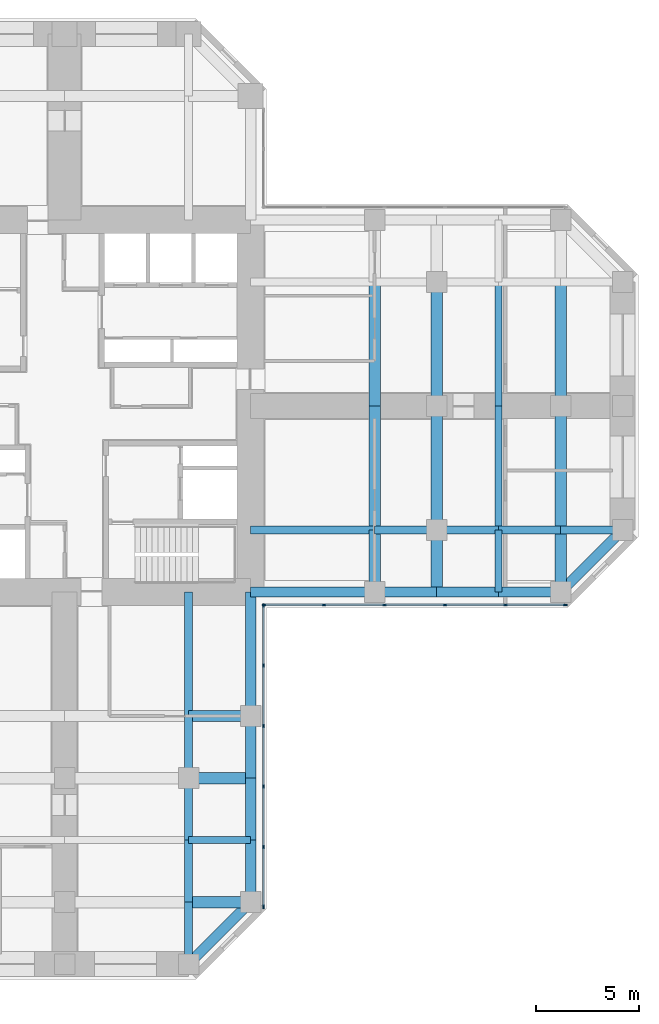
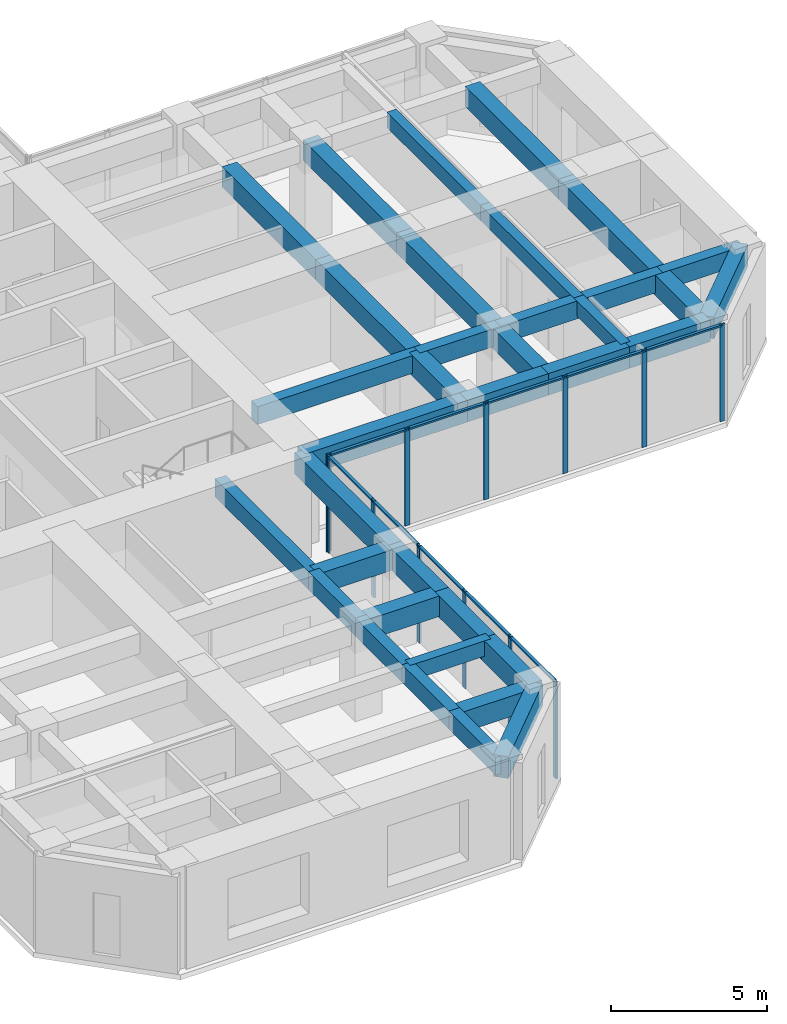
# One storey, part 4 of 12: 36 beams, 22 members, 2 elements without a shape of their own.
"""IFC4 building model written with IfcOpenShell, lengths in metres."""

from ifc_helpers import new_model, si_unit, direction, frame, origin, origin_2d, place, context, subcontext, project, spatial, rectangle, extrude, material, material_profile, profile_set, type_object, element, aggregate, save


model = new_model("IFC4")

# Units and contexts
model_context = context("Model", 3, precision=1e-05, world=origin(), true_north=direction((0.0, 1.0)))
body_context = subcontext(model_context, "Body", "Model", "MODEL_VIEW")
ifc_project = project(units=[si_unit("LENGTHUNIT", "METRE"), si_unit("AREAUNIT", "SQUARE_METRE"), si_unit("VOLUMEUNIT", "CUBIC_METRE"), si_unit("PLANEANGLEUNIT", "RADIAN"), si_unit("MASSUNIT", "GRAM", prefix="KILO")], contexts=[model_context])

# Site, building, storey
site_placement = place(None, origin())
site = spatial("IfcSite", under=ifc_project, at=site_placement, CompositionType="ELEMENT")
building_placement = place(site_placement, origin())
building = spatial("IfcBuilding", under=site, at=building_placement, Name="Torre Cruceta", CompositionType="ELEMENT")
storey_placement = place(building_placement, frame((0.0, 0.0, 112.5)))
storey = spatial("IfcBuildingStorey", under=building, at=storey_placement, Name="L27", CompositionType="ELEMENT", Elevation=112.5)

# Beams
ifc_material_1 = material(Name="Concrete G60 (fck 60 MPa)", Category="concrete")
ifc_material_profile_1 = material_profile(ifc_material_1, rectangle(XDim=0.39990234375, YDim=0.699951171875, at=origin_2d()), Name="RC 400X700")
ifc_profile_set_1 = profile_set([ifc_material_profile_1], Name="Concrete G60 (fck 60 MPa)")
beam_type_1 = type_object("IfcBeamType", Name="COLUMN LINE BEAM RC 400X700", PredefinedType="BEAM", material=ifc_profile_set_1)
beam_1_placement = place(storey_placement, frame((9.0, -6.0, 3.449951171875), z_axis=(1.0, 0.0, 0.0), x_axis=(0.0, 1.0, 0.0)))
element("IfcBeam", 1, at=beam_1_placement, inside=storey, type_object=beam_type_1, Name="LB5 L27 E col- 1", PredefinedType="BEAM", context=body_context, shape_type="SweptSolid", body=[
    extrude(rectangle(XDim=0.39990234375, YDim=0.699951171875, at=origin_2d()), origin(), (0.0, 0.0, 1.0), 6.0),
])
for number, where, z_axis, x_axis, name in (
    (2, (15.0, -6.0, 3.449951171875), (1.0, 0.0, 0.0), (0.0, 1.0, 0.0), "LB5 L27 E col- 2"),
    (3, (18.0, -6.0, 3.449951171875), (1.0, 0.0, 0.0), (0.0, 1.0, 0.0), "LB5 L27 E col- 3"),
    (4, (21.0, -6.0, 3.449951171875), (1.0, 0.0, 0.0), (0.0, 1.0, 0.0), "LB5 L27 E col- 4"),
    (5, (24.0, -6.0, 3.449951171875), (1.0, 0.0, 0.0), (0.0, 1.0, 0.0), "LB5 L27 E col- 5"),
):
    element("IfcBeam", number, at=place(storey_placement, frame(where, z_axis=z_axis, x_axis=x_axis)), inside=storey, type_object=beam_type_1, Name=name, PredefinedType="BEAM", context=body_context, shape_type="SweptSolid", body=[
        extrude(rectangle(XDim=0.39990234375, YDim=0.699951171875, at=origin_2d()), origin(), (0.0, 0.0, 1.0), 3.0),
    ])
beam_2_placement = place(storey_placement, frame((6.0, -9.0, 3.449951171875), z_axis=(0.0, -1.0, 0.0), x_axis=(1.0, 0.0, 0.0)))
element("IfcBeam", 6, at=beam_2_placement, inside=storey, type_object=beam_type_1, Name="LB5 L27 S col+ 1", PredefinedType="BEAM", context=body_context, shape_type="SweptSolid", body=[
    extrude(rectangle(XDim=0.39990234375, YDim=0.699951171875, at=origin_2d()), origin(), (0.0, 0.0, 1.0), 6.0),
])
for number, where, z_axis, x_axis, name in (
    (7, (6.0, -15.0, 3.449951171875), (0.0, -1.0, 0.0), (1.0, 0.0, 0.0), "LB5 L27 S col+ 2"),
    (8, (6.0, -18.0, 3.449951171875), (0.0, -1.0, 0.0), (1.0, 0.0, 0.0), "LB5 L27 S col+ 3"),
    (9, (6.0, -21.0, 3.449951171875), (0.0, -1.0, 0.0), (1.0, 0.0, 0.0), "LB5 L27 S col+ 4"),
    (10, (6.0, -24.0, 3.449951171875), (0.0, -1.0, 0.0), (1.0, 0.0, 0.0), "LB5 L27 S col+ 5"),
):
    element("IfcBeam", number, at=place(storey_placement, frame(where, z_axis=z_axis, x_axis=x_axis)), inside=storey, type_object=beam_type_1, Name=name, PredefinedType="BEAM", context=body_context, shape_type="SweptSolid", body=[
        extrude(rectangle(XDim=0.39990234375, YDim=0.699951171875, at=origin_2d()), origin(), (0.0, 0.0, 1.0), 3.0),
    ])
ifc_material_2 = material(Name="Concrete G60 (fck 60 MPa)", Category="concrete")
ifc_material_profile_2 = material_profile(ifc_material_2, rectangle(XDim=0.550048828125, YDim=0.800048828125, at=origin_2d()), Name="RC 550X800")
ifc_profile_set_2 = profile_set([ifc_material_profile_2], Name="Concrete G60 (fck 60 MPa)")
beam_type_2 = type_object("IfcBeamType", Name="CROSS BEAM RC 550X800", PredefinedType="BEAM", material=ifc_profile_set_2)
beam_3_placement = place(storey_placement, frame((15.0, -9.0, 3.39990234375), z_axis=(0.0, 1.0, 0.0), x_axis=(-1.0, 0.0, 0.0)))
element("IfcBeam", 11, at=beam_3_placement, inside=storey, type_object=beam_type_2, Name="GB5 L27 E cross15 1", PredefinedType="BEAM", context=body_context, shape_type="SweptSolid", body=[
    extrude(rectangle(XDim=0.550048828125, YDim=0.800048828125, at=origin_2d()), origin(), (0.0, 0.0, 1.0), 3.0),
])
for number, where, z_axis, x_axis, name in (
    (12, (15.0, -6.0, 3.39990234375), (0.0, 1.0, 0.0), (-1.0, 0.0, 0.0), "GB5 L27 E cross15 2"),
    (13, (15.0, 0.0, 3.39990234375), (0.0, 1.0, 0.0), (-1.0, 0.0, 0.0), "GB5 L27 E cross15 3"),
):
    element("IfcBeam", number, at=place(storey_placement, frame(where, z_axis=z_axis, x_axis=x_axis)), inside=storey, type_object=beam_type_2, Name=name, PredefinedType="BEAM", context=body_context, shape_type="SweptSolid", body=[
        extrude(rectangle(XDim=0.550048828125, YDim=0.800048828125, at=origin_2d()), origin(), (0.0, 0.0, 1.0), 6.0),
    ])
beam_4_placement = place(storey_placement, frame((18.0, -9.0, 3.39990234375), z_axis=(0.0, 1.0, 0.0), x_axis=(-1.0, 0.0, 0.0)))
element("IfcBeam", 14, at=beam_4_placement, inside=storey, type_object=beam_type_2, Name="GB5 L27 E cross18 1", PredefinedType="BEAM", context=body_context, shape_type="SweptSolid", body=[
    extrude(rectangle(XDim=0.550048828125, YDim=0.800048828125, at=origin_2d()), origin(), (0.0, 0.0, 1.0), 3.0),
])
for number, where, z_axis, x_axis, name in (
    (15, (18.0, -6.0, 3.39990234375), (0.0, 1.0, 0.0), (-1.0, 0.0, 0.0), "GB5 L27 E cross18 2"),
    (16, (18.0, 0.0, 3.39990234375), (0.0, 1.0, 0.0), (-1.0, 0.0, 0.0), "GB5 L27 E cross18 3"),
):
    element("IfcBeam", number, at=place(storey_placement, frame(where, z_axis=z_axis, x_axis=x_axis)), inside=storey, type_object=beam_type_2, Name=name, PredefinedType="BEAM", context=body_context, shape_type="SweptSolid", body=[
        extrude(rectangle(XDim=0.550048828125, YDim=0.800048828125, at=origin_2d()), origin(), (0.0, 0.0, 1.0), 6.0),
    ])
beam_5_placement = place(storey_placement, frame((24.0, -9.0, 3.39990234375), z_axis=(0.0, 1.0, 0.0), x_axis=(-1.0, 0.0, 0.0)))
element("IfcBeam", 17, at=beam_5_placement, inside=storey, type_object=beam_type_2, Name="GB5 L27 E cross24 1", PredefinedType="BEAM", context=body_context, shape_type="SweptSolid", body=[
    extrude(rectangle(XDim=0.550048828125, YDim=0.800048828125, at=origin_2d()), origin(), (0.0, 0.0, 1.0), 3.0),
])
for number, where, z_axis, x_axis, name in (
    (18, (24.0, -6.0, 3.39990234375), (0.0, 1.0, 0.0), (-1.0, 0.0, 0.0), "GB5 L27 E cross24 2"),
    (19, (24.0, 0.0, 3.39990234375), (0.0, 1.0, 0.0), (-1.0, 0.0, 0.0), "GB5 L27 E cross24 3"),
):
    element("IfcBeam", number, at=place(storey_placement, frame(where, z_axis=z_axis, x_axis=x_axis)), inside=storey, type_object=beam_type_2, Name=name, PredefinedType="BEAM", context=body_context, shape_type="SweptSolid", body=[
        extrude(rectangle(XDim=0.550048828125, YDim=0.800048828125, at=origin_2d()), origin(), (0.0, 0.0, 1.0), 6.0),
    ])
for number, where, z_axis, x_axis, name in (
    (20, (6.0, -15.0, 3.39990234375), (1.0, 0.0, 0.0), (0.0, 1.0, 0.0), "GB5 L27 S cross15 4"),
    (21, (6.0, -18.0, 3.39990234375), (1.0, 0.0, 0.0), (0.0, 1.0, 0.0), "GB5 L27 S cross18 4"),
    (22, (6.0, -24.0, 3.39990234375), (1.0, 0.0, 0.0), (0.0, 1.0, 0.0), "GB5 L27 S cross24 4"),
):
    element("IfcBeam", number, at=place(storey_placement, frame(where, z_axis=z_axis, x_axis=x_axis)), inside=storey, type_object=beam_type_2, Name=name, PredefinedType="BEAM", context=body_context, shape_type="SweptSolid", body=[
        extrude(rectangle(XDim=0.550048828125, YDim=0.800048828125, at=origin_2d()), origin(), (0.0, 0.0, 1.0), 3.0),
    ])

# Curtain wall, members
ifc_material_3 = material(Name="Aluminium unitised curtain wall", Category="aluminium")
curtain_wall_type = type_object("IfcCurtainWallType", Name="CURTAIN WALL CW-B OFFICE MID RISE", PredefinedType="USERDEFINED", material=ifc_material_3)
curtain_wall_1_placement = place(storey_placement, origin())
curtain_wall_1 = element("IfcCurtainWall", 23, at=curtain_wall_1_placement, inside=storey, type_object=curtain_wall_type, Name="CW-B L27 E side 00", ObjectType="UNITISED", PredefinedType="USERDEFINED")
ifc_material_4 = material(Name="Aluminium mullion", Category="aluminium")
ifc_material_profile_3 = material_profile(ifc_material_4, rectangle(XDim=0.06494140625, YDim=0.179931640625, at=origin_2d()), Name="AL 65X180")
ifc_profile_set_3 = profile_set([ifc_material_profile_3], Name="Aluminium mullion")
member_type_1 = type_object("IfcMemberType", Name="CW-B MULLION 65X180", PredefinedType="MULLION", material=ifc_profile_set_3)
member_1_placement = place(storey_placement, frame((9.652587890625, -9.6201171875, 0.0), z_axis=(0.0, 0.0, 1.0), x_axis=(0.0, 1.0, 0.0)))
member_1 = element("IfcMember", 24, at=member_1_placement, type_object=member_type_1, Name="CW-B mullion 1", PredefinedType="MULLION", context=body_context, shape_type="SweptSolid", body=[
    extrude(rectangle(XDim=0.06494140625, YDim=0.179931640625, at=origin_2d()), origin(), (0.0, 0.0, 1.0), 3.800048828125),
])
member_2_placement = place(storey_placement, frame((12.54736328125, -9.6201171875, 0.0), z_axis=(0.0, 0.0, 1.0), x_axis=(0.0, 1.0, 0.0)))
member_2 = element("IfcMember", 25, at=member_2_placement, type_object=member_type_1, Name="CW-B mullion 2", PredefinedType="MULLION", context=body_context, shape_type="SweptSolid", body=[
    extrude(rectangle(XDim=0.06494140625, YDim=0.179931640625, at=origin_2d()), origin(), (0.0, 0.0, 1.0), 3.800048828125),
])
member_3_placement = place(storey_placement, frame((15.474609375, -9.6201171875, 0.0), z_axis=(0.0, 0.0, 1.0), x_axis=(0.0, 1.0, 0.0)))
member_3 = element("IfcMember", 26, at=member_3_placement, type_object=member_type_1, Name="CW-B mullion 3", PredefinedType="MULLION", context=body_context, shape_type="SweptSolid", body=[
    extrude(rectangle(XDim=0.06494140625, YDim=0.179931640625, at=origin_2d()), origin(), (0.0, 0.0, 1.0), 3.800048828125),
])
member_4_placement = place(storey_placement, frame((18.402099609375, -9.6201171875, 0.0), z_axis=(0.0, 0.0, 1.0), x_axis=(0.0, 1.0, 0.0)))
member_4 = element("IfcMember", 27, at=member_4_placement, type_object=member_type_1, Name="CW-B mullion 4", PredefinedType="MULLION", context=body_context, shape_type="SweptSolid", body=[
    extrude(rectangle(XDim=0.06494140625, YDim=0.179931640625, at=origin_2d()), origin(), (0.0, 0.0, 1.0), 3.800048828125),
])
member_5_placement = place(storey_placement, frame((21.329345703125, -9.6201171875, 0.0), z_axis=(0.0, 0.0, 1.0), x_axis=(0.0, 1.0, 0.0)))
member_5 = element("IfcMember", 28, at=member_5_placement, type_object=member_type_1, Name="CW-B mullion 5", PredefinedType="MULLION", context=body_context, shape_type="SweptSolid", body=[
    extrude(rectangle(XDim=0.06494140625, YDim=0.179931640625, at=origin_2d()), origin(), (0.0, 0.0, 1.0), 3.800048828125),
])
member_6_placement = place(storey_placement, frame((24.224365234375, -9.6201171875, 0.0), z_axis=(0.0, 0.0, 1.0), x_axis=(0.0, 1.0, 0.0)))
member_6 = element("IfcMember", 29, at=member_6_placement, type_object=member_type_1, Name="CW-B mullion 6", PredefinedType="MULLION", context=body_context, shape_type="SweptSolid", body=[
    extrude(rectangle(XDim=0.06494140625, YDim=0.179931640625, at=origin_2d()), origin(), (0.0, 0.0, 1.0), 3.800048828125),
])

curtain_wall_2_placement = place(storey_placement, origin())
curtain_wall_2 = element("IfcCurtainWall", 30, at=curtain_wall_2_placement, inside=storey, type_object=curtain_wall_type, Name="CW-B L27 S side 19", ObjectType="UNITISED", PredefinedType="USERDEFINED")
member_7_placement = place(storey_placement, frame((9.6201171875, -24.224365234375, 0.0), z_axis=(0.0, 0.0, 1.0), x_axis=(-1.0, 0.0, 0.0)))
member_7 = element("IfcMember", 31, at=member_7_placement, type_object=member_type_1, Name="CW-B mullion 1", PredefinedType="MULLION", context=body_context, shape_type="SweptSolid", body=[
    extrude(rectangle(XDim=0.06494140625, YDim=0.179931640625, at=origin_2d()), origin(), (0.0, 0.0, 1.0), 3.800048828125),
])
member_8_placement = place(storey_placement, frame((9.6201171875, -21.329345703125, 0.0), z_axis=(0.0, 0.0, 1.0), x_axis=(-1.0, 0.0, 0.0)))
member_8 = element("IfcMember", 32, at=member_8_placement, type_object=member_type_1, Name="CW-B mullion 2", PredefinedType="MULLION", context=body_context, shape_type="SweptSolid", body=[
    extrude(rectangle(XDim=0.06494140625, YDim=0.179931640625, at=origin_2d()), origin(), (0.0, 0.0, 1.0), 3.800048828125),
])
member_9_placement = place(storey_placement, frame((9.6201171875, -18.402099609375, 0.0), z_axis=(0.0, 0.0, 1.0), x_axis=(-1.0, 0.0, 0.0)))
member_9 = element("IfcMember", 33, at=member_9_placement, type_object=member_type_1, Name="CW-B mullion 3", PredefinedType="MULLION", context=body_context, shape_type="SweptSolid", body=[
    extrude(rectangle(XDim=0.06494140625, YDim=0.179931640625, at=origin_2d()), origin(), (0.0, 0.0, 1.0), 3.800048828125),
])
member_10_placement = place(storey_placement, frame((9.6201171875, -15.474609375, 0.0), z_axis=(0.0, 0.0, 1.0), x_axis=(-1.0, 0.0, 0.0)))
member_10 = element("IfcMember", 34, at=member_10_placement, type_object=member_type_1, Name="CW-B mullion 4", PredefinedType="MULLION", context=body_context, shape_type="SweptSolid", body=[
    extrude(rectangle(XDim=0.06494140625, YDim=0.179931640625, at=origin_2d()), origin(), (0.0, 0.0, 1.0), 3.800048828125),
])
member_11_placement = place(storey_placement, frame((9.6201171875, -12.54736328125, 0.0), z_axis=(0.0, 0.0, 1.0), x_axis=(-1.0, 0.0, 0.0)))
member_11 = element("IfcMember", 35, at=member_11_placement, type_object=member_type_1, Name="CW-B mullion 5", PredefinedType="MULLION", context=body_context, shape_type="SweptSolid", body=[
    extrude(rectangle(XDim=0.06494140625, YDim=0.179931640625, at=origin_2d()), origin(), (0.0, 0.0, 1.0), 3.800048828125),
])
member_12_placement = place(storey_placement, frame((9.6201171875, -9.652587890625, 0.0), z_axis=(0.0, 0.0, 1.0), x_axis=(-1.0, 0.0, 0.0)))
member_12 = element("IfcMember", 36, at=member_12_placement, type_object=member_type_1, Name="CW-B mullion 6", PredefinedType="MULLION", context=body_context, shape_type="SweptSolid", body=[
    extrude(rectangle(XDim=0.06494140625, YDim=0.179931640625, at=origin_2d()), origin(), (0.0, 0.0, 1.0), 3.800048828125),
])

# Member
ifc_material_5 = material(Name="Aluminium transom", Category="aluminium")
ifc_material_profile_4 = material_profile(ifc_material_5, rectangle(XDim=0.110107421875, YDim=0.06494140625, at=origin_2d()), Name="AL 110X65")
ifc_profile_set_4 = profile_set([ifc_material_profile_4], Name="Aluminium transom")
member_type_2 = type_object("IfcMemberType", Name="CW-B TRANSOM 65X110", PredefinedType="USERDEFINED", material=ifc_profile_set_4)
member_13_placement = place(storey_placement, frame((9.68505859375, -9.6201171875, 3.767578125), z_axis=(1.0, 0.0, 0.0), x_axis=(0.0, 1.0, 0.0)))
member_13 = element("IfcMember", 37, at=member_13_placement, type_object=member_type_2, Name="CW-B transom 1", ObjectType="TRANSOM", PredefinedType="USERDEFINED", context=body_context, shape_type="SweptSolid", body=[
    extrude(rectangle(XDim=0.110107421875, YDim=0.06494140625, at=origin_2d()), origin(), (0.0, 0.0, 1.0), 2.829833984375),
])

member_14_placement = place(storey_placement, frame((12.579833984375, -9.6201171875, 3.767578125), z_axis=(1.0, 0.0, 0.0), x_axis=(0.0, 1.0, 0.0)))
member_14 = element("IfcMember", 38, at=member_14_placement, type_object=member_type_2, Name="CW-B transom 2", ObjectType="TRANSOM", PredefinedType="USERDEFINED", context=body_context, shape_type="SweptSolid", body=[
    extrude(rectangle(XDim=0.110107421875, YDim=0.06494140625, at=origin_2d()), origin(), (0.0, 0.0, 1.0), 2.8623046875),
])

member_15_placement = place(storey_placement, frame((15.50732421875, -9.6201171875, 3.767578125), z_axis=(1.0, 0.0, 0.0), x_axis=(0.0, 1.0, 0.0)))
member_15 = element("IfcMember", 39, at=member_15_placement, type_object=member_type_2, Name="CW-B transom 3", ObjectType="TRANSOM", PredefinedType="USERDEFINED", context=body_context, shape_type="SweptSolid", body=[
    extrude(rectangle(XDim=0.110107421875, YDim=0.06494140625, at=origin_2d()), origin(), (0.0, 0.0, 1.0), 2.8623046875),
])

member_16_placement = place(storey_placement, frame((18.4345703125, -9.6201171875, 3.767578125), z_axis=(1.0, 0.0, 0.0), x_axis=(0.0, 1.0, 0.0)))
member_16 = element("IfcMember", 40, at=member_16_placement, type_object=member_type_2, Name="CW-B transom 4", ObjectType="TRANSOM", PredefinedType="USERDEFINED", context=body_context, shape_type="SweptSolid", body=[
    extrude(rectangle(XDim=0.110107421875, YDim=0.06494140625, at=origin_2d()), origin(), (0.0, 0.0, 1.0), 2.8623046875),
])

member_17_placement = place(storey_placement, frame((21.362060546875, -9.6201171875, 3.767578125), z_axis=(1.0, 0.0, 0.0), x_axis=(0.0, 1.0, 0.0)))
member_17 = element("IfcMember", 41, at=member_17_placement, type_object=member_type_2, Name="CW-B transom 5", ObjectType="TRANSOM", PredefinedType="USERDEFINED", context=body_context, shape_type="SweptSolid", body=[
    extrude(rectangle(XDim=0.110107421875, YDim=0.06494140625, at=origin_2d()), origin(), (0.0, 0.0, 1.0), 2.829833984375),
])

aggregate(curtain_wall_1, [member_1, member_2, member_3, member_4, member_5, member_6, member_13, member_14, member_15, member_16, member_17])

member_18_placement = place(storey_placement, frame((9.6201171875, -24.19189453125, 3.767578125), z_axis=(0.0, 1.0, 0.0), x_axis=(-1.0, 0.0, 0.0)))
member_18 = element("IfcMember", 42, at=member_18_placement, type_object=member_type_2, Name="CW-B transom 1", ObjectType="TRANSOM", PredefinedType="USERDEFINED", context=body_context, shape_type="SweptSolid", body=[
    extrude(rectangle(XDim=0.110107421875, YDim=0.06494140625, at=origin_2d()), origin(), (0.0, 0.0, 1.0), 2.829833984375),
])

member_19_placement = place(storey_placement, frame((9.6201171875, -21.296875, 3.767578125), z_axis=(0.0, 1.0, 0.0), x_axis=(-1.0, 0.0, 0.0)))
member_19 = element("IfcMember", 43, at=member_19_placement, type_object=member_type_2, Name="CW-B transom 2", ObjectType="TRANSOM", PredefinedType="USERDEFINED", context=body_context, shape_type="SweptSolid", body=[
    extrude(rectangle(XDim=0.110107421875, YDim=0.06494140625, at=origin_2d()), origin(), (0.0, 0.0, 1.0), 2.8623046875),
])

member_20_placement = place(storey_placement, frame((9.6201171875, -18.36962890625, 3.767578125), z_axis=(0.0, 1.0, 0.0), x_axis=(-1.0, 0.0, 0.0)))
member_20 = element("IfcMember", 44, at=member_20_placement, type_object=member_type_2, Name="CW-B transom 3", ObjectType="TRANSOM", PredefinedType="USERDEFINED", context=body_context, shape_type="SweptSolid", body=[
    extrude(rectangle(XDim=0.110107421875, YDim=0.06494140625, at=origin_2d()), origin(), (0.0, 0.0, 1.0), 2.8623046875),
])

member_21_placement = place(storey_placement, frame((9.6201171875, -15.442138671875, 3.767578125), z_axis=(0.0, 1.0, 0.0), x_axis=(-1.0, 0.0, 0.0)))
member_21 = element("IfcMember", 45, at=member_21_placement, type_object=member_type_2, Name="CW-B transom 4", ObjectType="TRANSOM", PredefinedType="USERDEFINED", context=body_context, shape_type="SweptSolid", body=[
    extrude(rectangle(XDim=0.110107421875, YDim=0.06494140625, at=origin_2d()), origin(), (0.0, 0.0, 1.0), 2.8623046875),
])

member_22_placement = place(storey_placement, frame((9.6201171875, -12.514892578125, 3.767578125), z_axis=(0.0, 1.0, 0.0), x_axis=(-1.0, 0.0, 0.0)))
member_22 = element("IfcMember", 46, at=member_22_placement, type_object=member_type_2, Name="CW-B transom 5", ObjectType="TRANSOM", PredefinedType="USERDEFINED", context=body_context, shape_type="SweptSolid", body=[
    extrude(rectangle(XDim=0.110107421875, YDim=0.06494140625, at=origin_2d()), origin(), (0.0, 0.0, 1.0), 2.829833984375),
])

aggregate(curtain_wall_2, [member_7, member_8, member_9, member_10, member_11, member_12, member_18, member_19, member_20, member_21, member_22])

# Beams
ifc_material_6 = material(Name="Concrete G60 (fck 60 MPa)", Category="concrete")
ifc_material_profile_5 = material_profile(ifc_material_6, rectangle(XDim=0.35009765625, YDim=0.60009765625, at=origin_2d()), Name="RC 350X600")
ifc_profile_set_5 = profile_set([ifc_material_profile_5], Name="Concrete G60 (fck 60 MPa)")
beam_type_3 = type_object("IfcBeamType", Name="SECONDARY BEAM RC 350X600", PredefinedType="JOIST", material=ifc_profile_set_5)
beam_6_placement = place(storey_placement, frame((21.0, -9.0, 3.5), z_axis=(0.0, 1.0, 0.0), x_axis=(-1.0, 0.0, 0.0)))
element("IfcBeam", 47, at=beam_6_placement, inside=storey, type_object=beam_type_3, Name="JB5 L27 E sec21 1", PredefinedType="JOIST", context=body_context, shape_type="SweptSolid", body=[
    extrude(rectangle(XDim=0.35009765625, YDim=0.60009765625, at=origin_2d()), origin(), (0.0, 0.0, 1.0), 3.0),
])
for number, where, z_axis, x_axis, name in (
    (48, (21.0, -6.0, 3.5), (0.0, 1.0, 0.0), (-1.0, 0.0, 0.0), "JB5 L27 E sec21 2"),
    (49, (21.0, 0.0, 3.5), (0.0, 1.0, 0.0), (-1.0, 0.0, 0.0), "JB5 L27 E sec21 3"),
):
    element("IfcBeam", number, at=place(storey_placement, frame(where, z_axis=z_axis, x_axis=x_axis)), inside=storey, type_object=beam_type_3, Name=name, PredefinedType="JOIST", context=body_context, shape_type="SweptSolid", body=[
        extrude(rectangle(XDim=0.35009765625, YDim=0.60009765625, at=origin_2d()), origin(), (0.0, 0.0, 1.0), 6.0),
    ])
beam_7_placement = place(storey_placement, frame((6.0, -21.0, 3.5), z_axis=(1.0, 0.0, 0.0), x_axis=(0.0, 1.0, 0.0)))
element("IfcBeam", 50, at=beam_7_placement, inside=storey, type_object=beam_type_3, Name="JB5 L27 S sec21 4", PredefinedType="JOIST", context=body_context, shape_type="SweptSolid", body=[
    extrude(rectangle(XDim=0.35009765625, YDim=0.60009765625, at=origin_2d()), origin(), (0.0, 0.0, 1.0), 3.0),
])
ifc_material_7 = material(Name="Concrete G60 (fck 60 MPa)", Category="concrete")
ifc_material_profile_6 = material_profile(ifc_material_7, rectangle(XDim=0.5, YDim=0.85009765625, at=origin_2d()), Name="RC 500X850")
ifc_profile_set_6 = profile_set([ifc_material_profile_6], Name="Concrete G60 (fck 60 MPa)")
beam_type_4 = type_object("IfcBeamType", Name="SPANDREL BEAM RC 500X850", PredefinedType="SPANDREL", material=ifc_profile_set_6)
beam_8_placement = place(storey_placement, frame((9.0, -9.0, 3.375), z_axis=(1.0, 0.0, 0.0), x_axis=(0.0, 1.0, 0.0)))
element("IfcBeam", 51, at=beam_8_placement, inside=storey, type_object=beam_type_4, Name="SB5 L27 E side- 1", PredefinedType="SPANDREL", context=body_context, shape_type="SweptSolid", body=[
    extrude(rectangle(XDim=0.5, YDim=0.85009765625, at=origin_2d()), origin(), (0.0, 0.0, 1.0), 6.0),
])
for number, where, z_axis, x_axis, name in (
    (52, (15.0, -9.0, 3.375), (1.0, 0.0, 0.0), (0.0, 1.0, 0.0), "SB5 L27 E side- 2"),
    (53, (18.0, -9.0, 3.375), (1.0, 0.0, 0.0), (0.0, 1.0, 0.0), "SB5 L27 E side- 3"),
    (54, (21.0, -9.0, 3.375), (1.0, 0.0, 0.0), (0.0, 1.0, 0.0), "SB5 L27 E side- 4"),
):
    element("IfcBeam", number, at=place(storey_placement, frame(where, z_axis=z_axis, x_axis=x_axis)), inside=storey, type_object=beam_type_4, Name=name, PredefinedType="SPANDREL", context=body_context, shape_type="SweptSolid", body=[
        extrude(rectangle(XDim=0.5, YDim=0.85009765625, at=origin_2d()), origin(), (0.0, 0.0, 1.0), 3.0),
    ])
beam_9_placement = place(storey_placement, frame((24.0, -9.0, 3.375), z_axis=(0.707106781187, 0.707106781187, 0.0), x_axis=(-0.707106781187, 0.707106781187, 0.0)))
element("IfcBeam", 55, at=beam_9_placement, inside=storey, type_object=beam_type_4, Name="SB5 L27 E side- 5", PredefinedType="SPANDREL", context=body_context, shape_type="SweptSolid", body=[
    extrude(rectangle(XDim=0.5, YDim=0.85009765625, at=origin_2d()), origin(), (0.0, 0.0, 1.0), 4.24267578125),
])
beam_10_placement = place(storey_placement, frame((9.0, -9.0, 3.375), z_axis=(0.0, -1.0, 0.0), x_axis=(1.0, 0.0, 0.0)))
element("IfcBeam", 56, at=beam_10_placement, inside=storey, type_object=beam_type_4, Name="SB5 L27 S side+ 1", PredefinedType="SPANDREL", context=body_context, shape_type="SweptSolid", body=[
    extrude(rectangle(XDim=0.5, YDim=0.85009765625, at=origin_2d()), origin(), (0.0, 0.0, 1.0), 6.0),
])
for number, where, z_axis, x_axis, name in (
    (57, (9.0, -15.0, 3.375), (0.0, -1.0, 0.0), (1.0, 0.0, 0.0), "SB5 L27 S side+ 2"),
    (58, (9.0, -18.0, 3.375), (0.0, -1.0, 0.0), (1.0, 0.0, 0.0), "SB5 L27 S side+ 3"),
    (59, (9.0, -21.0, 3.375), (0.0, -1.0, 0.0), (1.0, 0.0, 0.0), "SB5 L27 S side+ 4"),
):
    element("IfcBeam", number, at=place(storey_placement, frame(where, z_axis=z_axis, x_axis=x_axis)), inside=storey, type_object=beam_type_4, Name=name, PredefinedType="SPANDREL", context=body_context, shape_type="SweptSolid", body=[
        extrude(rectangle(XDim=0.5, YDim=0.85009765625, at=origin_2d()), origin(), (0.0, 0.0, 1.0), 3.0),
    ])
beam_11_placement = place(storey_placement, frame((9.0, -24.0, 3.375), z_axis=(-0.707106781187, -0.707106781187, 0.0), x_axis=(0.707106781187, -0.707106781187, 0.0)))
element("IfcBeam", 60, at=beam_11_placement, inside=storey, type_object=beam_type_4, Name="SB5 L27 S side+ 5", PredefinedType="SPANDREL", context=body_context, shape_type="SweptSolid", body=[
    extrude(rectangle(XDim=0.5, YDim=0.85009765625, at=origin_2d()), origin(), (0.0, 0.0, 1.0), 4.24267578125),
])

save(model, "model.ifc")
